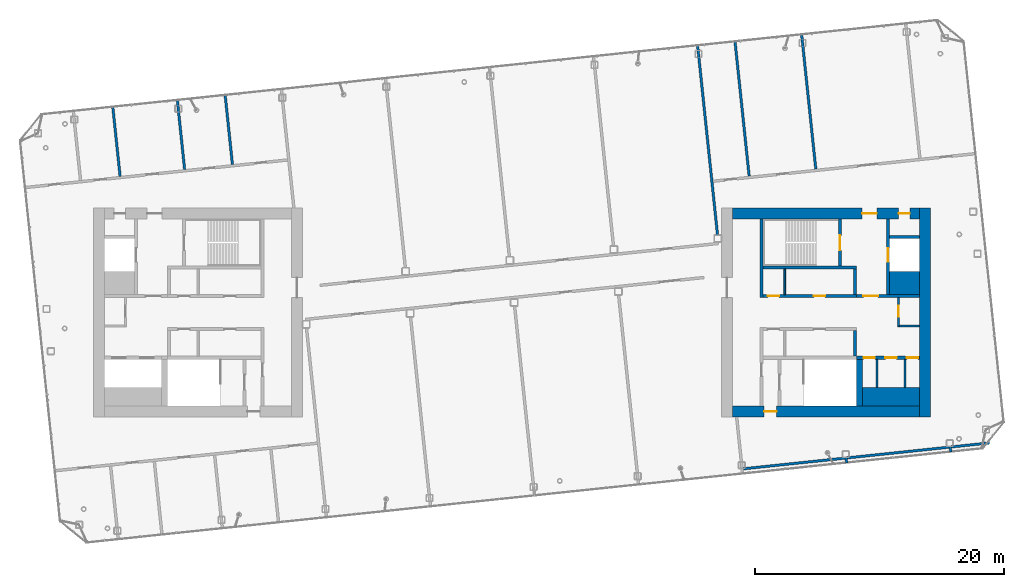
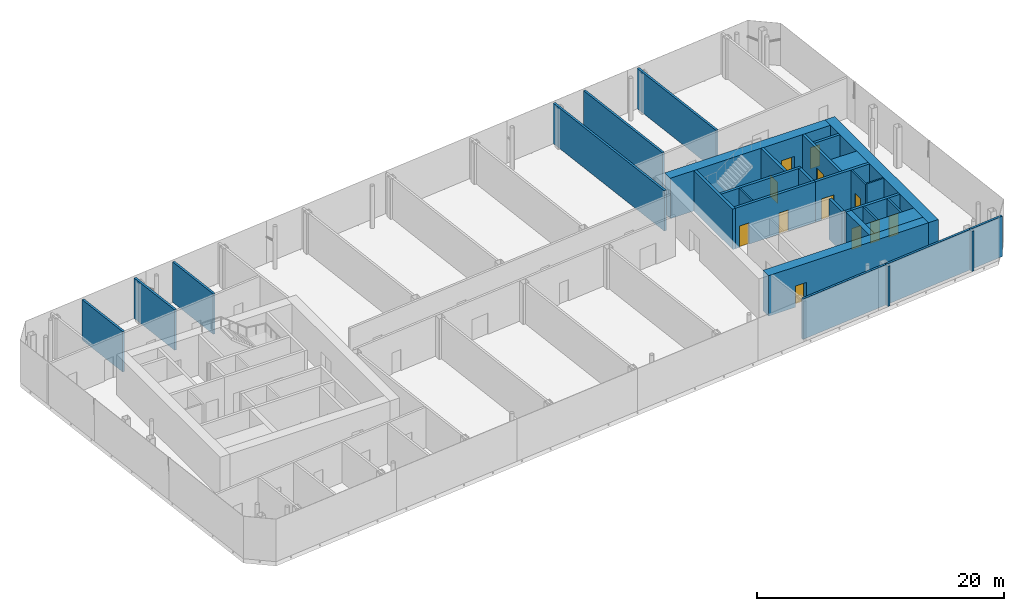
# One storey, part 10 of 28: 31 walls, 12 doors, 12 openings.
"""IFC4 building model written with IfcOpenShell, lengths in metres."""

from ifc_helpers import new_model, si_unit, direction, frame, frame_2d, origin, place, context, subcontext, project, spatial, rectangle, extrude, material, layer, layer_set, type_object, element, fill, save


model = new_model("IFC4")

# Units and contexts
model_context = context("Model", 3, precision=1e-05, world=origin(), true_north=direction((0.0, 1.0)))
body_context = subcontext(model_context, "Body", "Model", "MODEL_VIEW")
ifc_project = project(units=[si_unit("LENGTHUNIT", "METRE"), si_unit("AREAUNIT", "SQUARE_METRE"), si_unit("VOLUMEUNIT", "CUBIC_METRE"), si_unit("PLANEANGLEUNIT", "RADIAN"), si_unit("MASSUNIT", "GRAM", prefix="KILO")], contexts=[model_context])

# Site, building, storey
site_placement = place(None, origin())
site = spatial("IfcSite", under=ifc_project, at=site_placement, CompositionType="ELEMENT")
building_placement = place(site_placement, origin())
building = spatial("IfcBuilding", under=site, at=building_placement, Name="Hakoniwa Tower and Hamabe Station Hall", CompositionType="ELEMENT")
storey_placement = place(building_placement, frame((0.0, 0.0, 280.800048828125)))
storey = spatial("IfcBuildingStorey", under=building, at=storey_placement, Name="L78", CompositionType="ELEMENT", Elevation=280.800048828125)

# Wall, opening, door
ifc_material_1 = material(Name="Gypsum board partition")
ifc_layer_1 = layer(ifc_material_1, 0.14990234375)
ifc_layer_set_1 = layer_set([ifc_layer_1], Name="CORE PARTITION 150 EI 60")
wall_type_1 = type_object("IfcWallType", Name="CORE PARTITION 150 EI 60", PredefinedType="PARTITIONING", material=ifc_layer_set_1)
wall_1_placement = place(storey_placement, frame((31.02490234375, -1.14990234375, 0.0), z_axis=(0.0, 0.0, 1.0), x_axis=(0.0, 1.0, 0.0)))
wall_1 = element("IfcWall", 1, at=wall_1_placement, inside=storey, type_object=wall_type_1, Name="Core partition PW0 east", PredefinedType="PARTITIONING", context=body_context, shape_type="SweptSolid", body=[
    extrude(rectangle(XDim=2.349853515625, YDim=0.14990234375, at=frame_2d((1.1748046875, 0.0))), origin(), (0.0, 0.0, 1.0), 4.0),
])
opening_1_placement = place(wall_1_placement, frame((0.800048828125, 0.0, 0.0)))
opening_1 = element("IfcOpeningElement", 2, at=opening_1_placement, cuts=wall_1, Name="Opening CD-E-RM1-9", PredefinedType="OPENING", context=body_context, shape_type="SweptSolid", body=[
    extrude(rectangle(XDim=0.89990234375, YDim=2.10009765625, at=frame_2d((0.449951171875, 1.050048828125))), frame((0.0, 0.0849609375, 0.0), z_axis=(0.0, -1.0, 0.0), x_axis=(1.0, 0.0, 0.0)), (0.0, 0.0, 1.0), 0.169921875),
])
ifc_material_2 = material(Name="Steel fire door", Category="steel")
door_type_1 = type_object("IfcDoorType", Name="CORE DOOR 900 FD30", OperationType="NOTDEFINED", PredefinedType="DOOR", material=ifc_material_2)
door_1_placement = place(opening_1_placement, origin())
door_1 = element("IfcDoor", 3, at=door_1_placement, inside=storey, type_object=door_type_1, Name="Store room door", OperationType="SINGLE_SWING_RIGHT", OverallHeight=2.10009765625, OverallWidth=0.89990234375, PredefinedType="DOOR", context=body_context, shape_type="SweptSolid", body=[
    extrude(rectangle(XDim=0.89990234375, YDim=2.10009765625, at=frame_2d((0.449951171875, 1.050048828125))), frame((0.0, 0.02490234375, 0.0), z_axis=(0.0, -1.0, 0.0), x_axis=(1.0, 0.0, 0.0)), (0.0, 0.0, 1.0), 0.050048828125),
])
fill(opening_1, door_1)

# Walls
wall_2_placement = place(storey_placement, frame((31.10009765625, -1.074951171875, 0.0), z_axis=(0.0, 0.0, 1.0), x_axis=(1.0, 0.0, 0.0)))
element("IfcWall", 4, at=wall_2_placement, inside=storey, type_object=wall_type_1, Name="Core partition PS east", PredefinedType="PARTITIONING", context=body_context, shape_type="SweptSolid", body=[
    extrude(rectangle(XDim=1.599853515625, YDim=0.14990234375, at=frame_2d((0.7998046875, 0.0))), origin(), (0.0, 0.0, 1.0), 4.0),
])
wall_3_placement = place(storey_placement, frame((21.89990234375, 1.449951171875, 0.0), z_axis=(0.0, 0.0, 1.0), x_axis=(0.0, 1.0, 0.0)))
element("IfcWall", 5, at=wall_3_placement, inside=storey, type_object=wall_type_1, Name="Core partition PFLR0 east", PredefinedType="PARTITIONING", context=body_context, shape_type="SweptSolid", body=[
    extrude(rectangle(XDim=2.050048828125, YDim=0.14990234375, at=frame_2d((1.02490234375, 0.0))), origin(), (0.0, 0.0, 1.0), 4.0),
])
for number, where, z_axis, x_axis, name in (
    (6, (29.300048828125, -6.0, 0.0), (0.0, 0.0, 1.0), (0.0, 1.0, 0.0), "Core partition PFSE0 east"),
    (7, (31.550048828125, -6.0, 0.0), (0.0, 0.0, 1.0), (0.0, 1.0, 0.0), "Core partition PFSE1 east"),
):
    element("IfcWall", number, at=place(storey_placement, frame(where, z_axis=z_axis, x_axis=x_axis)), inside=storey, type_object=wall_type_1, Name=name, PredefinedType="PARTITIONING", context=body_context, shape_type="SweptSolid", body=[
        extrude(rectangle(XDim=2.25, YDim=0.14990234375, at=frame_2d((1.125, 0.0))), origin(), (0.0, 0.0, 1.0), 4.0),
    ])
ifc_material_3 = material(Name="Concrete C60", Category="concrete")
ifc_layer_2 = layer(ifc_material_3, 0.89990234375)
ifc_layer_set_2 = layer_set([ifc_layer_2], Name="CORE WALL 900 C60")
wall_type_2 = type_object("IfcWallType", Name="CORE WALL 900 C60", PredefinedType="SHEAR", material=ifc_layer_set_2)
wall_4_placement = place(storey_placement, frame((33.14990234375, -8.39990234375, 0.0), z_axis=(0.0, 0.0, 1.0), x_axis=(0.0, 1.0, 0.0)))
element("IfcWall", 8, at=wall_4_placement, inside=storey, type_object=wall_type_2, Name="Core wall OUTER east", PredefinedType="SHEAR", context=body_context, shape_type="SweptSolid", body=[
    extrude(rectangle(XDim=16.7998046875, YDim=0.89990234375, at=frame_2d((8.39990234375, 0.0))), origin(), (0.0, 0.0, 1.0), 4.0),
])

# Wall, openings, doors
wall_5_placement = place(storey_placement, frame((17.699951171875, 7.949951171875, 0.0), z_axis=(0.0, 0.0, 1.0), x_axis=(1.0, 0.0, 0.0)))
wall_5 = element("IfcWall", 9, at=wall_5_placement, inside=storey, type_object=wall_type_2, Name="Core wall NORTH east", PredefinedType="SHEAR", context=body_context, shape_type="SweptSolid", body=[
    extrude(rectangle(XDim=15.0, YDim=0.89990234375, at=frame_2d((7.5, 0.0))), origin(), (0.0, 0.0, 1.0), 4.0),
])
opening_2_placement = place(wall_5_placement, frame((10.39990234375, 0.0, 0.0)))
opening_2 = element("IfcOpeningElement", 10, at=opening_2_placement, cuts=wall_5, Name="Opening CD-E-FN1-12", PredefinedType="OPENING", context=body_context, shape_type="SweptSolid", body=[
    extrude(rectangle(XDim=1.199951171875, YDim=2.10009765625, at=frame_2d((0.60009765625, 1.050048828125))), frame((0.0, 0.4599609375, 0.0), z_axis=(0.0, -1.0, 0.0), x_axis=(1.0, 0.0, 0.0)), (0.0, 0.0, 1.0), 0.919921875),
])
opening_3_placement = place(wall_5_placement, frame((13.35009765625, 0.0, 0.0)))
opening_3 = element("IfcOpeningElement", 11, at=opening_3_placement, cuts=wall_5, Name="Opening CD-E-FN2-9", PredefinedType="OPENING", context=body_context, shape_type="SweptSolid", body=[
    extrude(rectangle(XDim=0.89990234375, YDim=2.10009765625, at=frame_2d((0.449951171875, 1.050048828125))), frame((0.0, 0.4599609375, 0.0), z_axis=(0.0, -1.0, 0.0), x_axis=(1.0, 0.0, 0.0)), (0.0, 0.0, 1.0), 0.919921875),
])
ifc_material_4 = material(Name="Steel fire door", Category="steel")
door_type_2 = type_object("IfcDoorType", Name="CORE DOOR 1200 FD60", OperationType="DOUBLE_DOOR_SINGLE_SWING", PredefinedType="DOOR", material=ifc_material_4)
door_2_placement = place(opening_2_placement, origin())
door_2 = element("IfcDoor", 12, at=door_2_placement, inside=storey, type_object=door_type_2, Name="Stair vestibule door to the fire-fighting lobby", OperationType="DOUBLE_DOOR_SINGLE_SWING", OverallHeight=2.10009765625, OverallWidth=1.199951171875, PredefinedType="DOOR", context=body_context, shape_type="SweptSolid", body=[
    extrude(rectangle(XDim=1.199951171875, YDim=2.10009765625, at=frame_2d((0.60009765625, 1.050048828125))), frame((0.0, 0.02490234375, 0.0), z_axis=(0.0, -1.0, 0.0), x_axis=(1.0, 0.0, 0.0)), (0.0, 0.0, 1.0), 0.050048828125),
])
fill(opening_2, door_2)
door_3_placement = place(opening_3_placement, origin())
door_3 = element("IfcDoor", 13, at=door_3_placement, inside=storey, type_object=door_type_1, Name="Riser access door", OperationType="SINGLE_SWING_RIGHT", OverallHeight=2.10009765625, OverallWidth=0.89990234375, PredefinedType="DOOR", context=body_context, shape_type="SweptSolid", body=[
    extrude(rectangle(XDim=0.89990234375, YDim=2.10009765625, at=frame_2d((0.449951171875, 1.050048828125))), frame((0.0, 0.02490234375, 0.0), z_axis=(0.0, -1.0, 0.0), x_axis=(1.0, 0.0, 0.0)), (0.0, 0.0, 1.0), 0.050048828125),
])
fill(opening_3, door_3)

# Wall, opening, door
wall_6_placement = place(storey_placement, frame((17.699951171875, -7.949951171875, 0.0), z_axis=(0.0, 0.0, 1.0), x_axis=(1.0, 0.0, 0.0)))
wall_6 = element("IfcWall", 14, at=wall_6_placement, inside=storey, type_object=wall_type_2, Name="Core wall SOUTH east", PredefinedType="SHEAR", context=body_context, shape_type="SweptSolid", body=[
    extrude(rectangle(XDim=15.0, YDim=0.89990234375, at=frame_2d((7.5, 0.0))), origin(), (0.0, 0.0, 1.0), 4.0),
])
opening_4_placement = place(wall_6_placement, frame((2.550048828125, 0.0, 0.0)))
opening_4 = element("IfcOpeningElement", 15, at=opening_4_placement, cuts=wall_6, Name="Opening CD-E-FS3-10", PredefinedType="OPENING", context=body_context, shape_type="SweptSolid", body=[
    extrude(rectangle(XDim=1.0, YDim=2.10009765625, at=frame_2d((0.5, 1.050048828125))), frame((0.0, 0.4599609375, 0.0), z_axis=(0.0, -1.0, 0.0), x_axis=(1.0, 0.0, 0.0)), (0.0, 0.0, 1.0), 0.919921875),
])
ifc_material_5 = material(Name="Steel fire door", Category="steel")
door_type_3 = type_object("IfcDoorType", Name="CORE DOOR 1000 FD60", OperationType="NOTDEFINED", PredefinedType="DOOR", material=ifc_material_5)
door_4_placement = place(opening_4_placement, origin())
door_4 = element("IfcDoor", 16, at=door_4_placement, inside=storey, type_object=door_type_3, Name="Stair vestibule door", OperationType="SINGLE_SWING_LEFT", OverallHeight=2.10009765625, OverallWidth=1.0, PredefinedType="DOOR", context=body_context, shape_type="SweptSolid", body=[
    extrude(rectangle(XDim=1.0, YDim=2.10009765625, at=frame_2d((0.5, 1.050048828125))), frame((0.0, 0.02490234375, 0.0), z_axis=(0.0, -1.0, 0.0), x_axis=(1.0, 0.0, 0.0)), (0.0, 0.0, 1.0), 0.050048828125),
])
fill(opening_4, door_4)

# Walls
ifc_material_6 = material(Name="Concrete C60", Category="concrete")
ifc_layer_3 = layer(ifc_material_6, 1.5)
ifc_layer_set_3 = layer_set([ifc_layer_3], Name="CORE WEB WALL 1500 C60")
wall_type_3 = type_object("IfcWallType", Name="CORE WEB WALL 1500 C60", PredefinedType="SHEAR", material=ifc_layer_set_3)
wall_7_placement = place(storey_placement, frame((28.14990234375, -6.75, 0.0), z_axis=(0.0, 0.0, 1.0), x_axis=(1.0, 0.0, 0.0)))
element("IfcWall", 17, at=wall_7_placement, inside=storey, type_object=wall_type_3, Name="Core wall SER east", PredefinedType="SHEAR", context=body_context, shape_type="SweptSolid", body=[
    extrude(rectangle(XDim=4.550048828125, YDim=1.5, at=frame_2d((2.27490234375, 0.0))), origin(), (0.0, 0.0, 1.0), 4.0),
])
ifc_material_7 = material(Name="Concrete C60", Category="concrete")
ifc_layer_4 = layer(ifc_material_7, 1.85009765625)
ifc_layer_set_4 = layer_set([ifc_layer_4], Name="CORE WEB WALL 1850 C60")
wall_type_4 = type_object("IfcWallType", Name="CORE WEB WALL 1850 C60", PredefinedType="SHEAR", material=ifc_layer_set_4)
wall_8_placement = place(storey_placement, frame((30.300048828125, 2.375, 0.0), z_axis=(0.0, 0.0, 1.0), x_axis=(1.0, 0.0, 0.0)))
element("IfcWall", 18, at=wall_8_placement, inside=storey, type_object=wall_type_4, Name="Core wall CA east", PredefinedType="SHEAR", context=body_context, shape_type="SweptSolid", body=[
    extrude(rectangle(XDim=2.39990234375, YDim=1.85009765625, at=frame_2d((1.199951171875, 0.0))), origin(), (0.0, 0.0, 1.0), 4.0),
])
ifc_material_8 = material(Name="Concrete C60", Category="concrete")
ifc_layer_5 = layer(ifc_material_8, 0.25)
ifc_layer_set_5 = layer_set([ifc_layer_5], Name="CORE WEB WALL 250 C60")
wall_type_5 = type_object("IfcWallType", Name="CORE WEB WALL 250 C60", PredefinedType="SHEAR", material=ifc_layer_set_5)
wall_9_placement = place(storey_placement, frame((20.02490234375, 1.199951171875, 0.0), z_axis=(0.0, 0.0, 1.0), x_axis=(0.0, 1.0, 0.0)))
element("IfcWall", 19, at=wall_9_placement, inside=storey, type_object=wall_type_5, Name="Core wall W1N east", PredefinedType="SHEAR", context=body_context, shape_type="SweptSolid", body=[
    extrude(rectangle(XDim=6.300048828125, YDim=0.25, at=frame_2d((3.14990234375, 0.0))), origin(), (0.0, 0.0, 1.0), 4.0),
])

# Wall, openings, doors
wall_10_placement = place(storey_placement, frame((20.14990234375, 1.324951171875, 0.0), z_axis=(0.0, 0.0, 1.0), x_axis=(1.0, 0.0, 0.0)))
wall_10 = element("IfcWall", 20, at=wall_10_placement, inside=storey, type_object=wall_type_5, Name="Core wall NF east", PredefinedType="SHEAR", context=body_context, shape_type="SweptSolid", body=[
    extrude(rectangle(XDim=7.5, YDim=0.25, at=frame_2d((3.75, 0.0))), origin(), (0.0, 0.0, 1.0), 4.0),
])
opening_5_placement = place(wall_10_placement, frame((0.387451171875, 0.0, 0.0)))
opening_5 = element("IfcOpeningElement", 21, at=opening_5_placement, cuts=wall_10, Name="Opening CD-E-FRLR0-9", PredefinedType="OPENING", context=body_context, shape_type="SweptSolid", body=[
    extrude(rectangle(XDim=0.89990234375, YDim=2.10009765625, at=frame_2d((0.449951171875, 1.050048828125))), frame((0.0, 0.135009765625, 0.0), z_axis=(0.0, -1.0, 0.0), x_axis=(1.0, 0.0, 0.0)), (0.0, 0.0, 1.0), 0.27001953125),
])
opening_6_placement = place(wall_10_placement, frame((4.08740234375, 0.0, 0.0)))
opening_6 = element("IfcOpeningElement", 22, at=opening_6_placement, cuts=wall_10, Name="Opening CD-E-FRLR1-9", PredefinedType="OPENING", context=body_context, shape_type="SweptSolid", body=[
    extrude(rectangle(XDim=0.89990234375, YDim=2.10009765625, at=frame_2d((0.449951171875, 1.050048828125))), frame((0.0, 0.135009765625, 0.0), z_axis=(0.0, -1.0, 0.0), x_axis=(1.0, 0.0, 0.0)), (0.0, 0.0, 1.0), 0.27001953125),
])
door_5_placement = place(opening_5_placement, origin())
door_5 = element("IfcDoor", 23, at=door_5_placement, inside=storey, type_object=door_type_1, Name="Store room door", OperationType="SINGLE_SWING_LEFT", OverallHeight=2.10009765625, OverallWidth=0.89990234375, PredefinedType="DOOR", context=body_context, shape_type="SweptSolid", body=[
    extrude(rectangle(XDim=0.89990234375, YDim=2.10009765625, at=frame_2d((0.449951171875, 1.050048828125))), frame((0.0, 0.02490234375, 0.0), z_axis=(0.0, -1.0, 0.0), x_axis=(1.0, 0.0, 0.0)), (0.0, 0.0, 1.0), 0.050048828125),
])
fill(opening_5, door_5)
door_6_placement = place(opening_6_placement, origin())
door_6 = element("IfcDoor", 24, at=door_6_placement, inside=storey, type_object=door_type_1, Name="Store room door", OperationType="SINGLE_SWING_RIGHT", OverallHeight=2.10009765625, OverallWidth=0.89990234375, PredefinedType="DOOR", context=body_context, shape_type="SweptSolid", body=[
    extrude(rectangle(XDim=0.89990234375, YDim=2.10009765625, at=frame_2d((0.449951171875, 1.050048828125))), frame((0.0, 0.02490234375, 0.0), z_axis=(0.0, -1.0, 0.0), x_axis=(1.0, 0.0, 0.0)), (0.0, 0.0, 1.0), 0.050048828125),
])
fill(opening_6, door_6)

# Walls
wall_11_placement = place(storey_placement, frame((27.52490234375, 1.449951171875, 0.0), z_axis=(0.0, 0.0, 1.0), x_axis=(0.0, 1.0, 0.0)))
element("IfcWall", 25, at=wall_11_placement, inside=storey, type_object=wall_type_5, Name="Core wall NE east", PredefinedType="SHEAR", context=body_context, shape_type="SweptSolid", body=[
    extrude(rectangle(XDim=2.050048828125, YDim=0.25, at=frame_2d((1.02490234375, 0.0))), origin(), (0.0, 0.0, 1.0), 4.0),
])
wall_12_placement = place(storey_placement, frame((20.14990234375, 3.625, 0.0), z_axis=(0.0, 0.0, 1.0), x_axis=(1.0, 0.0, 0.0)))
element("IfcWall", 26, at=wall_12_placement, inside=storey, type_object=wall_type_5, Name="Core wall NR east", PredefinedType="SHEAR", context=body_context, shape_type="SweptSolid", body=[
    extrude(rectangle(XDim=7.5, YDim=0.25, at=frame_2d((3.75, 0.0))), origin(), (0.0, 0.0, 1.0), 4.0),
])

# Wall, opening, door
wall_13_placement = place(storey_placement, frame((26.324951171875, 3.75, 0.0), z_axis=(0.0, 0.0, 1.0), x_axis=(0.0, 1.0, 0.0)))
wall_13 = element("IfcWall", 27, at=wall_13_placement, inside=storey, type_object=wall_type_5, Name="Core wall NSE east", PredefinedType="SHEAR", context=body_context, shape_type="SweptSolid", body=[
    extrude(rectangle(XDim=3.75, YDim=0.25, at=frame_2d((1.875, 0.0))), origin(), (0.0, 0.0, 1.0), 4.0),
])
opening_7_placement = place(wall_13_placement, frame((1.25, 0.0, 0.0)))
opening_7 = element("IfcOpeningElement", 28, at=opening_7_placement, cuts=wall_13, Name="Opening CD-E-SN-12", PredefinedType="OPENING", context=body_context, shape_type="SweptSolid", body=[
    extrude(rectangle(XDim=1.199951171875, YDim=2.10009765625, at=frame_2d((0.60009765625, 1.050048828125))), frame((0.0, 0.135009765625, 0.0), z_axis=(0.0, -1.0, 0.0), x_axis=(1.0, 0.0, 0.0)), (0.0, 0.0, 1.0), 0.27001953125),
])
door_7_placement = place(opening_7_placement, origin())
door_7 = element("IfcDoor", 29, at=door_7_placement, inside=storey, type_object=door_type_2, Name="Escape stair door", OperationType="DOUBLE_DOOR_SINGLE_SWING", OverallHeight=2.10009765625, OverallWidth=1.199951171875, PredefinedType="DOOR", context=body_context, shape_type="SweptSolid", body=[
    extrude(rectangle(XDim=1.199951171875, YDim=2.10009765625, at=frame_2d((0.60009765625, 1.050048828125))), frame((0.0, 0.02490234375, 0.0), z_axis=(0.0, -1.0, 0.0), x_axis=(1.0, 0.0, 0.0)), (0.0, 0.0, 1.0), 0.050048828125),
])
fill(opening_7, door_7)

wall_14_placement = place(storey_placement, frame((27.64990234375, 1.324951171875, 0.0), z_axis=(0.0, 0.0, 1.0), x_axis=(1.0, 0.0, 0.0)))
wall_14 = element("IfcWall", 30, at=wall_14_placement, inside=storey, type_object=wall_type_5, Name="Core wall ELN east", PredefinedType="SHEAR", context=body_context, shape_type="SweptSolid", body=[
    extrude(rectangle(XDim=5.050048828125, YDim=0.25, at=frame_2d((2.52490234375, 0.0))), origin(), (0.0, 0.0, 1.0), 4.0),
])
opening_8_placement = place(wall_14_placement, frame((0.550048828125, 0.0, 0.0)))
opening_8 = element("IfcOpeningElement", 31, at=opening_8_placement, cuts=wall_14, Name="Opening CD-E-FL-12", PredefinedType="OPENING", context=body_context, shape_type="SweptSolid", body=[
    extrude(rectangle(XDim=1.199951171875, YDim=2.10009765625, at=frame_2d((0.60009765625, 1.050048828125))), frame((0.0, 0.135009765625, 0.0), z_axis=(0.0, -1.0, 0.0), x_axis=(1.0, 0.0, 0.0)), (0.0, 0.0, 1.0), 0.27001953125),
])
door_8_placement = place(opening_8_placement, origin())
door_8 = element("IfcDoor", 32, at=door_8_placement, inside=storey, type_object=door_type_2, Name="Stair vestibule door to the fire-fighting lobby", OperationType="DOUBLE_DOOR_SINGLE_SWING", OverallHeight=2.10009765625, OverallWidth=1.199951171875, PredefinedType="DOOR", context=body_context, shape_type="SweptSolid", body=[
    extrude(rectangle(XDim=1.199951171875, YDim=2.10009765625, at=frame_2d((0.60009765625, 1.050048828125))), frame((0.0, 0.02490234375, 0.0), z_axis=(0.0, -1.0, 0.0), x_axis=(1.0, 0.0, 0.0)), (0.0, 0.0, 1.0), 0.050048828125),
])
fill(opening_8, door_8)

wall_15_placement = place(storey_placement, frame((30.175048828125, 1.449951171875, 0.0), z_axis=(0.0, 0.0, 1.0), x_axis=(0.0, 1.0, 0.0)))
wall_15 = element("IfcWall", 33, at=wall_15_placement, inside=storey, type_object=wall_type_5, Name="Core wall FFF east", PredefinedType="SHEAR", context=body_context, shape_type="SweptSolid", body=[
    extrude(rectangle(XDim=6.050048828125, YDim=0.25, at=frame_2d((3.02490234375, 0.0))), origin(), (0.0, 0.0, 1.0), 4.0),
])
opening_9_placement = place(wall_15_placement, frame((2.625, 0.0, 0.0)))
opening_9 = element("IfcOpeningElement", 34, at=opening_9_placement, cuts=wall_15, Name="Opening LD-FF2", PredefinedType="OPENING", context=body_context, shape_type="SweptSolid", body=[
    extrude(rectangle(XDim=1.10009765625, YDim=2.10009765625, at=frame_2d((0.550048828125, 1.050048828125))), frame((0.0, 0.135009765625, 0.0), z_axis=(0.0, -1.0, 0.0), x_axis=(1.0, 0.0, 0.0)), (0.0, 0.0, 1.0), 0.27001953125),
])
ifc_material_9 = material(Name="Stainless steel SUS304", Category="steel")
door_type_4 = type_object("IfcDoorType", Name="LIFT LANDING DOOR 1100 FD60", OperationType="DOUBLE_DOOR_SLIDING", PredefinedType="DOOR", material=ifc_material_9)
door_9_placement = place(opening_9_placement, origin())
door_9 = element("IfcDoor", 35, at=door_9_placement, inside=storey, type_object=door_type_4, Name="Lift landing door FF2 L78", OperationType="DOUBLE_DOOR_SLIDING", OverallHeight=2.10009765625, OverallWidth=1.10009765625, PredefinedType="DOOR", context=body_context, shape_type="SweptSolid", body=[
    extrude(rectangle(XDim=1.10009765625, YDim=2.10009765625, at=frame_2d((0.550048828125, 1.050048828125))), frame((0.0, 0.02490234375, 0.0), z_axis=(0.0, -1.0, 0.0), x_axis=(1.0, 0.0, 0.0)), (0.0, 0.0, 1.0), 0.050048828125),
])
fill(opening_9, door_9)

# Walls
wall_16_placement = place(storey_placement, frame((30.300048828125, 6.074951171875, 0.0), z_axis=(0.0, 0.0, 1.0), x_axis=(1.0, 0.0, 0.0)))
element("IfcWall", 36, at=wall_16_placement, inside=storey, type_object=wall_type_5, Name="Core wall C2 east", PredefinedType="SHEAR", context=body_context, shape_type="SweptSolid", body=[
    extrude(rectangle(XDim=2.39990234375, YDim=0.25, at=frame_2d((1.199951171875, 0.0))), origin(), (0.0, 0.0, 1.0), 4.0),
])
wall_17_placement = place(storey_placement, frame((27.52490234375, -3.5, 0.0), z_axis=(0.0, 0.0, 1.0), x_axis=(0.0, 1.0, 0.0)))
element("IfcWall", 37, at=wall_17_placement, inside=storey, type_object=wall_type_5, Name="Core wall SE east", PredefinedType="SHEAR", context=body_context, shape_type="SweptSolid", body=[
    extrude(rectangle(XDim=2.050048828125, YDim=0.25, at=frame_2d((1.02490234375, 0.0))), origin(), (0.0, 0.0, 1.0), 4.0),
])

# Wall, openings, doors
wall_18_placement = place(storey_placement, frame((28.14990234375, -3.625, 0.0), z_axis=(0.0, 0.0, 1.0), x_axis=(1.0, 0.0, 0.0)))
wall_18 = element("IfcWall", 38, at=wall_18_placement, inside=storey, type_object=wall_type_5, Name="Core wall SEF east", PredefinedType="SHEAR", context=body_context, shape_type="SweptSolid", body=[
    extrude(rectangle(XDim=4.550048828125, YDim=0.25, at=frame_2d((2.27490234375, 0.0))), origin(), (0.0, 0.0, 1.0), 4.0),
])
opening_10_placement = place(wall_18_placement, frame((0.08740234375, 0.0, 0.0)))
opening_10 = element("IfcOpeningElement", 39, at=opening_10_placement, cuts=wall_18, Name="Opening CD-E-MS4-9", PredefinedType="OPENING", context=body_context, shape_type="SweptSolid", body=[
    extrude(rectangle(XDim=0.89990234375, YDim=2.10009765625, at=frame_2d((0.449951171875, 1.050048828125))), frame((0.0, 0.135009765625, 0.0), z_axis=(0.0, -1.0, 0.0), x_axis=(1.0, 0.0, 0.0)), (0.0, 0.0, 1.0), 0.27001953125),
])
opening_11_placement = place(wall_18_placement, frame((1.824951171875, 0.0, 0.0)))
opening_11 = element("IfcOpeningElement", 40, at=opening_11_placement, cuts=wall_18, Name="Opening CD-E-MS5-9", PredefinedType="OPENING", context=body_context, shape_type="SweptSolid", body=[
    extrude(rectangle(XDim=0.89990234375, YDim=2.10009765625, at=frame_2d((0.449951171875, 1.050048828125))), frame((0.0, 0.135009765625, 0.0), z_axis=(0.0, -1.0, 0.0), x_axis=(1.0, 0.0, 0.0)), (0.0, 0.0, 1.0), 0.27001953125),
])
opening_12_placement = place(wall_18_placement, frame((3.5625, 0.0, 0.0)))
opening_12 = element("IfcOpeningElement", 41, at=opening_12_placement, cuts=wall_18, Name="Opening CD-E-MS6-9", PredefinedType="OPENING", context=body_context, shape_type="SweptSolid", body=[
    extrude(rectangle(XDim=0.89990234375, YDim=2.10009765625, at=frame_2d((0.449951171875, 1.050048828125))), frame((0.0, 0.135009765625, 0.0), z_axis=(0.0, -1.0, 0.0), x_axis=(1.0, 0.0, 0.0)), (0.0, 0.0, 1.0), 0.27001953125),
])
ifc_material_10 = material(Name="Steel fire door", Category="steel")
door_type_5 = type_object("IfcDoorType", Name="CORE DOOR 900 FD60", OperationType="NOTDEFINED", PredefinedType="DOOR", material=ifc_material_10)
door_10_placement = place(opening_10_placement, origin())
door_10 = element("IfcDoor", 42, at=door_10_placement, inside=storey, type_object=door_type_5, Name="Machine room door", OperationType="SINGLE_SWING_RIGHT", OverallHeight=2.10009765625, OverallWidth=0.89990234375, PredefinedType="DOOR", context=body_context, shape_type="SweptSolid", body=[
    extrude(rectangle(XDim=0.89990234375, YDim=2.10009765625, at=frame_2d((0.449951171875, 1.050048828125))), frame((0.0, 0.02490234375, 0.0), z_axis=(0.0, -1.0, 0.0), x_axis=(1.0, 0.0, 0.0)), (0.0, 0.0, 1.0), 0.050048828125),
])
fill(opening_10, door_10)
door_11_placement = place(opening_11_placement, origin())
door_11 = element("IfcDoor", 43, at=door_11_placement, inside=storey, type_object=door_type_5, Name="Machine room door", OperationType="SINGLE_SWING_LEFT", OverallHeight=2.10009765625, OverallWidth=0.89990234375, PredefinedType="DOOR", context=body_context, shape_type="SweptSolid", body=[
    extrude(rectangle(XDim=0.89990234375, YDim=2.10009765625, at=frame_2d((0.449951171875, 1.050048828125))), frame((0.0, 0.02490234375, 0.0), z_axis=(0.0, -1.0, 0.0), x_axis=(1.0, 0.0, 0.0)), (0.0, 0.0, 1.0), 0.050048828125),
])
fill(opening_11, door_11)
door_12_placement = place(opening_12_placement, origin())
door_12 = element("IfcDoor", 44, at=door_12_placement, inside=storey, type_object=door_type_5, Name="Machine room door", OperationType="SINGLE_SWING_RIGHT", OverallHeight=2.10009765625, OverallWidth=0.89990234375, PredefinedType="DOOR", context=body_context, shape_type="SweptSolid", body=[
    extrude(rectangle(XDim=0.89990234375, YDim=2.10009765625, at=frame_2d((0.449951171875, 1.050048828125))), frame((0.0, 0.02490234375, 0.0), z_axis=(0.0, -1.0, 0.0), x_axis=(1.0, 0.0, 0.0)), (0.0, 0.0, 1.0), 0.050048828125),
])
fill(opening_12, door_12)

# Walls
wall_19_placement = place(storey_placement, frame((27.64990234375, -3.625, 0.0), z_axis=(0.0, 0.0, 1.0), x_axis=(1.0, 0.0, 0.0)))
element("IfcWall", 45, at=wall_19_placement, inside=storey, type_object=wall_type_5, Name="Core wall SRK east", PredefinedType="SHEAR", context=body_context, shape_type="SweptSolid", body=[
    extrude(rectangle(XDim=0.5, YDim=0.25, at=frame_2d((0.25, 0.0))), origin(), (0.0, 0.0, 1.0), 4.0),
])
ifc_material_11 = material(Name="Concrete C60", Category="concrete")
ifc_layer_6 = layer(ifc_material_11, 0.5)
ifc_layer_set_6 = layer_set([ifc_layer_6], Name="CORE WEB WALL 500 C60")
wall_type_6 = type_object("IfcWallType", Name="CORE WEB WALL 500 C60", PredefinedType="SHEAR", material=ifc_layer_set_6)
wall_20_placement = place(storey_placement, frame((27.89990234375, -7.5, 0.0), z_axis=(0.0, 0.0, 1.0), x_axis=(0.0, 1.0, 0.0)))
element("IfcWall", 46, at=wall_20_placement, inside=storey, type_object=wall_type_6, Name="Core wall SSE east", PredefinedType="SHEAR", context=body_context, shape_type="SweptSolid", body=[
    extrude(rectangle(XDim=3.75, YDim=0.5, at=frame_2d((1.875, 0.0))), origin(), (0.0, 0.0, 1.0), 4.0),
])
ifc_material_12 = material(Name="Fire-rated gypsum board partition", Category="gypsum")
ifc_layer_7 = layer(ifc_material_12, 0.199951171875)
ifc_layer_set_7 = layer_set([ifc_layer_7], Name="Corridor Wall 200")
wall_type_7 = type_object("IfcWallType", Name="Corridor Wall 200", PredefinedType="PARTITIONING", material=ifc_layer_set_7)
wall_21_placement = place(storey_placement, frame((18.474853515625, -12.555419921875, 0.0), z_axis=(0.0, 0.0, 1.0), x_axis=(0.994522053511, 0.104526958629, 0.0)))
element("IfcWall", 47, at=wall_21_placement, inside=storey, type_object=wall_type_7, Name="GW-L78-001", PredefinedType="PARTITIONING", context=body_context, shape_type="SweptSolid", body=[
    extrude(rectangle(XDim=19.969970703125, YDim=0.199951171875, at=frame_2d((9.98486328125, 0.0))), origin(), (0.0, 0.0, 1.0), 4.0),
])
ifc_material_13 = material(Name="Fire-rated gypsum board partition", Category="gypsum")
ifc_layer_8 = layer(ifc_material_13, 0.199951171875)
ifc_layer_set_8 = layer_set([ifc_layer_8], Name="Party Wall 200")
wall_type_8 = type_object("IfcWallType", Name="Party Wall 200", PredefinedType="PARTITIONING", material=ifc_layer_set_8)
wall_22_placement = place(storey_placement, frame((-31.46435546875, 10.93701171875, 0.0), z_axis=(0.0, 0.0, 1.0), x_axis=(-0.104512933269, 0.994523527514, 0.0)))
element("IfcWall", 48, at=wall_22_placement, inside=storey, type_object=wall_type_8, Name="GW-L78-009", PredefinedType="PARTITIONING", context=body_context, shape_type="SweptSolid", body=[
    extrude(rectangle(XDim=5.620361328125, YDim=0.199951171875, at=frame_2d((2.81005859375, 0.0))), origin(), (0.0, 0.0, 1.0), 4.0),
])
for number, where, z_axis, x_axis, name in (
    (49, (-26.28271484375, 11.481689453125, 0.0), (0.0, 0.0, 1.0), (-0.104560413987, 0.994518536693, 0.0), "GW-L78-012"),
    (50, (-22.44384765625, 11.88525390625, 0.0), (0.0, 0.0, 1.0), (-0.104560413987, 0.994518536693, 0.0), "GW-L78-013"),
):
    element("IfcWall", number, at=place(storey_placement, frame(where, z_axis=z_axis, x_axis=x_axis)), inside=storey, type_object=wall_type_8, Name=name, PredefinedType="PARTITIONING", context=body_context, shape_type="SweptSolid", body=[
        extrude(rectangle(XDim=5.6201171875, YDim=0.199951171875, at=frame_2d((2.81005859375, 0.0))), origin(), (0.0, 0.0, 1.0), 4.0),
    ])
wall_23_placement = place(storey_placement, frame((16.499755859375, 6.23681640625, 0.0), z_axis=(0.0, 0.0, 1.0), x_axis=(-0.104523729364, 0.99452239291, 0.0)))
element("IfcWall", 51, at=wall_23_placement, inside=storey, type_object=wall_type_8, Name="GW-L78-024", PredefinedType="PARTITIONING", context=body_context, shape_type="SweptSolid", body=[
    extrude(rectangle(XDim=15.308349609375, YDim=0.199951171875, at=frame_2d((7.654296875, 0.0))), origin(), (0.0, 0.0, 1.0), 4.0),
])
wall_24_placement = place(storey_placement, frame((19.041259765625, 10.9482421875, 0.0), z_axis=(0.0, 0.0, 1.0), x_axis=(-0.104530717431, 0.994521658444, 0.0)))
element("IfcWall", 52, at=wall_24_placement, inside=storey, type_object=wall_type_8, Name="GW-L78-025", PredefinedType="PARTITIONING", context=body_context, shape_type="SweptSolid", body=[
    extrude(rectangle(XDim=10.888427734375, YDim=0.199951171875, at=frame_2d((5.4443359375, 0.0))), origin(), (0.0, 0.0, 1.0), 4.0),
])
wall_25_placement = place(storey_placement, frame((26.870361328125, -12.071044921875, 0.0), z_axis=(0.0, 0.0, 1.0), x_axis=(-0.104743412259, 0.994499279833, 0.0)))
element("IfcWall", 53, at=wall_25_placement, inside=storey, type_object=wall_type_8, Name="GW-L78-026", PredefinedType="PARTITIONING", context=body_context, shape_type="SweptSolid", body=[
    extrude(rectangle(XDim=0.43359375, YDim=0.199951171875, at=frame_2d((0.216796875, 0.0))), origin(), (0.0, 0.0, 1.0), 4.0),
])
wall_26_placement = place(storey_placement, frame((24.391845703125, 11.510498046875, 0.0), z_axis=(0.0, 0.0, 1.0), x_axis=(-0.104530717431, 0.994521658444, 0.0)))
element("IfcWall", 54, at=wall_26_placement, inside=storey, type_object=wall_type_8, Name="GW-L78-027", PredefinedType="PARTITIONING", context=body_context, shape_type="SweptSolid", body=[
    extrude(rectangle(XDim=10.888427734375, YDim=0.199951171875, at=frame_2d((5.4443359375, 0.0))), origin(), (0.0, 0.0, 1.0), 4.0),
])
wall_27_placement = place(storey_placement, frame((35.224365234375, -11.193115234375, 0.0), z_axis=(0.0, 0.0, 1.0), x_axis=(-0.104743412259, 0.994499279833, 0.0)))
element("IfcWall", 55, at=wall_27_placement, inside=storey, type_object=wall_type_8, Name="GW-L78-028", PredefinedType="PARTITIONING", context=body_context, shape_type="SweptSolid", body=[
    extrude(rectangle(XDim=0.43359375, YDim=0.199951171875, at=frame_2d((0.216796875, 0.0))), origin(), (0.0, 0.0, 1.0), 4.0),
])

save(model, "model.ifc")
